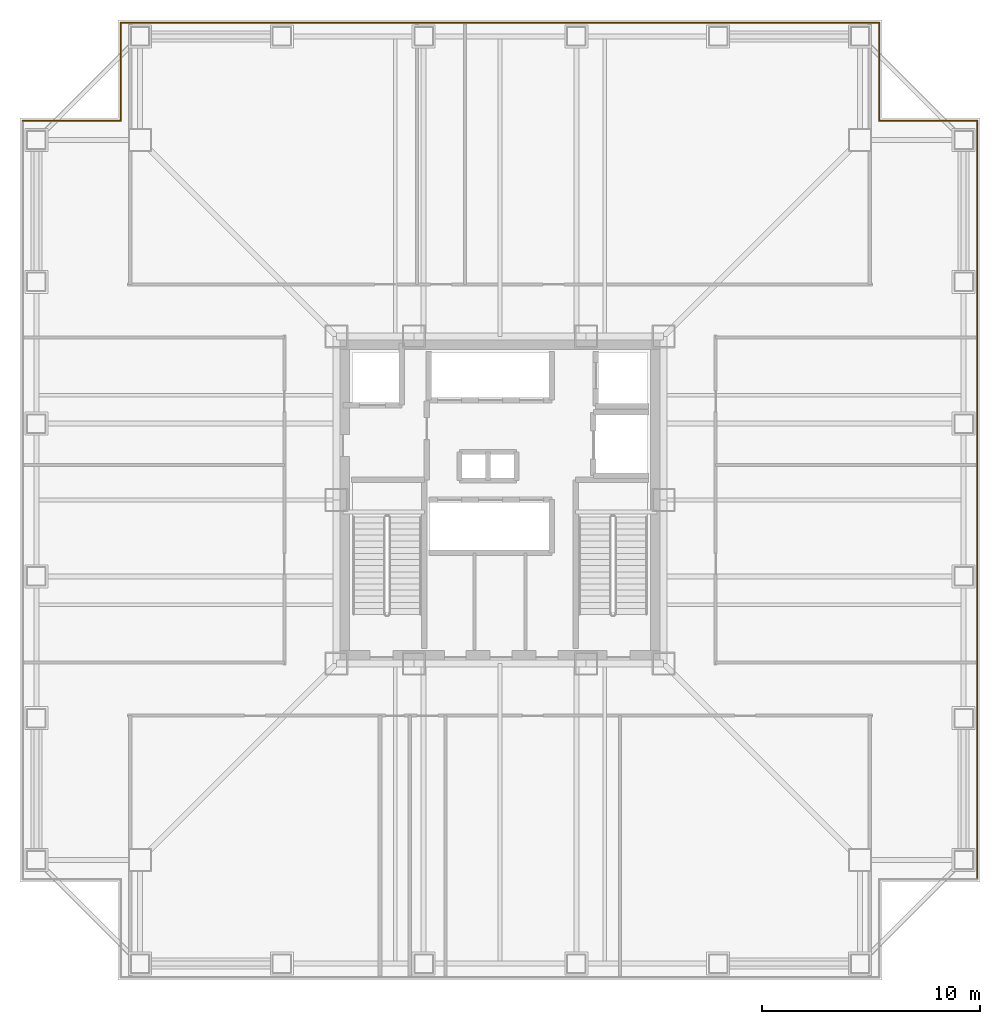
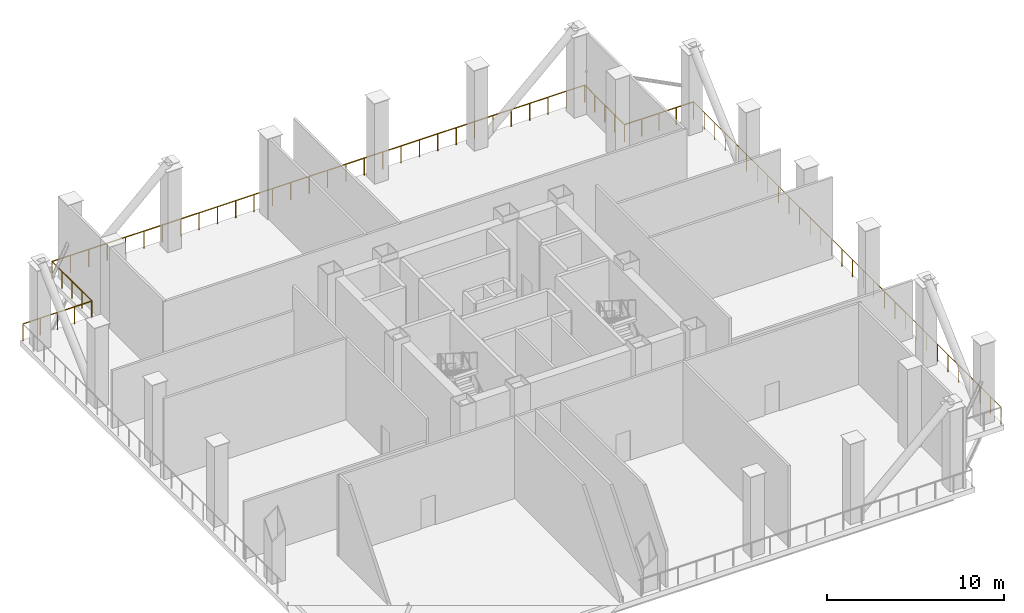
# One storey, part 7 of 7: 6 railings.
"""IFC4 building model written with IfcOpenShell, lengths in metres."""

from ifc_helpers import new_model, si_unit, direction, frame, origin, origin_2d, place, context, subcontext, project, spatial, circle, extrude, material, type_object, element, save


model = new_model("IFC4")

# Units and contexts
model_context = context("Model", 3, precision=1e-05, world=origin(), true_north=direction((0.0, 1.0)))
body_context = subcontext(model_context, "Body", "Model", "MODEL_VIEW")
ifc_project = project(units=[si_unit("LENGTHUNIT", "METRE"), si_unit("AREAUNIT", "SQUARE_METRE"), si_unit("VOLUMEUNIT", "CUBIC_METRE"), si_unit("PLANEANGLEUNIT", "RADIAN"), si_unit("MASSUNIT", "GRAM", prefix="KILO")], contexts=[model_context])

# Site, building, storey
site_placement = place(None, origin())
site = spatial("IfcSite", under=ifc_project, at=site_placement, CompositionType="ELEMENT")
building_placement = place(site_placement, origin())
building = spatial("IfcBuilding", under=site, at=building_placement, Name="Trevonay Congress Spire", CompositionType="ELEMENT")
storey_placement = place(building_placement, frame((0.0, 0.0, 160.199951171875)))
storey = spatial("IfcBuildingStorey", under=building, at=storey_placement, Name="L41", CompositionType="ELEMENT", Elevation=160.199951171875)

# Railings
ifc_material = material(Name="Pale Anodised Aluminium EN AW-6063-T6", Category="aluminium")
railing_type = type_object("IfcRailingType", Name="RAL-WIND-GUARD-120", PredefinedType="GUARDRAIL", material=ifc_material)
railing_1_placement = place(storey_placement, frame((-21.8798828125, 17.3798828125, 0.0)))
element("IfcRailing", 1, at=railing_1_placement, inside=storey, type_object=railing_type, Name="L41 perimeter safety guard GRD-L41-WIND-4", PredefinedType="GUARDRAIL", context=body_context, shape_type="SweptSolid", body=[
    extrude(circle(Radius=0.02392578125, at=origin_2d()), frame((0.0, 0.0, 1.17578125), z_axis=(1.0, 0.0, 0.0), x_axis=(0.0, 1.0, 0.0)), (0.0, 0.0, 1.0), 4.5),
    extrude(circle(Radius=0.02099609375, at=origin_2d()), origin(), (0.0, 0.0, 1.0), 1.15185546875),
    extrude(circle(Radius=0.02099609375, at=origin_2d()), frame((1.125, 0.0, 0.0)), (0.0, 0.0, 1.0), 1.15185546875),
    extrude(circle(Radius=0.02099609375, at=origin_2d()), frame((2.25, 0.0, 0.0)), (0.0, 0.0, 1.0), 1.15185546875),
    extrude(circle(Radius=0.02099609375, at=origin_2d()), frame((3.375, 0.0, 0.0)), (0.0, 0.0, 1.0), 1.15185546875),
    extrude(circle(Radius=0.02099609375, at=origin_2d()), frame((4.5, 0.0, 0.0)), (0.0, 0.0, 1.0), 1.15185546875),
])
railing_2_placement = place(storey_placement, frame((-17.3798828125, 17.3798828125, 0.0)))
element("IfcRailing", 2, at=railing_2_placement, inside=storey, type_object=railing_type, Name="L41 perimeter safety guard GRD-L41-WIND-5", PredefinedType="GUARDRAIL", context=body_context, shape_type="SweptSolid", body=[
    extrude(circle(Radius=0.02392578125, at=origin_2d()), frame((0.0, 0.0, 1.17578125), z_axis=(0.0, 1.0, 0.0), x_axis=(-1.0, 0.0, 0.0)), (0.0, 0.0, 1.0), 4.5),
    extrude(circle(Radius=0.02099609375, at=origin_2d()), origin(), (0.0, 0.0, 1.0), 1.15185546875),
    extrude(circle(Radius=0.02099609375, at=origin_2d()), frame((0.0, 1.125, 0.0)), (0.0, 0.0, 1.0), 1.15185546875),
    extrude(circle(Radius=0.02099609375, at=origin_2d()), frame((0.0, 2.25, 0.0)), (0.0, 0.0, 1.0), 1.15185546875),
    extrude(circle(Radius=0.02099609375, at=origin_2d()), frame((0.0, 3.375, 0.0)), (0.0, 0.0, 1.0), 1.15185546875),
    extrude(circle(Radius=0.02099609375, at=origin_2d()), frame((0.0, 4.5, 0.0)), (0.0, 0.0, 1.0), 1.15185546875),
])
railing_3_placement = place(storey_placement, frame((-17.3798828125, 21.8798828125, 0.0)))
element("IfcRailing", 3, at=railing_3_placement, inside=storey, type_object=railing_type, Name="L41 perimeter safety guard GRD-L41-WIND-6", PredefinedType="GUARDRAIL", context=body_context, shape_type="SweptSolid", body=[
    extrude(circle(Radius=0.02392578125, at=origin_2d()), frame((0.0, 0.0, 1.17578125), z_axis=(1.0, 0.0, 0.0), x_axis=(0.0, 1.0, 0.0)), (0.0, 0.0, 1.0), 34.759765625),
    extrude(circle(Radius=0.02099609375, at=origin_2d()), origin(), (0.0, 0.0, 1.0), 1.15185546875),
    extrude(circle(Radius=0.02099609375, at=origin_2d()), frame((1.19873046875, 0.0, 0.0)), (0.0, 0.0, 1.0), 1.15185546875),
    extrude(circle(Radius=0.02099609375, at=origin_2d()), frame((2.397216796875, 0.0, 0.0)), (0.0, 0.0, 1.0), 1.15185546875),
    extrude(circle(Radius=0.02099609375, at=origin_2d()), frame((3.595947265625, 0.0, 0.0)), (0.0, 0.0, 1.0), 1.15185546875),
    extrude(circle(Radius=0.02099609375, at=origin_2d()), frame((4.79443359375, 0.0, 0.0)), (0.0, 0.0, 1.0), 1.15185546875),
    extrude(circle(Radius=0.02099609375, at=origin_2d()), frame((5.9931640625, 0.0, 0.0)), (0.0, 0.0, 1.0), 1.15185546875),
    extrude(circle(Radius=0.02099609375, at=origin_2d()), frame((7.191650390625, 0.0, 0.0)), (0.0, 0.0, 1.0), 1.15185546875),
    extrude(circle(Radius=0.02099609375, at=origin_2d()), frame((8.390380859375, 0.0, 0.0)), (0.0, 0.0, 1.0), 1.15185546875),
    extrude(circle(Radius=0.02099609375, at=origin_2d()), frame((9.5888671875, 0.0, 0.0)), (0.0, 0.0, 1.0), 1.15185546875),
    extrude(circle(Radius=0.02099609375, at=origin_2d()), frame((10.78759765625, 0.0, 0.0)), (0.0, 0.0, 1.0), 1.15185546875),
    extrude(circle(Radius=0.02099609375, at=origin_2d()), frame((11.986083984375, 0.0, 0.0)), (0.0, 0.0, 1.0), 1.15185546875),
    extrude(circle(Radius=0.02099609375, at=origin_2d()), frame((13.184814453125, 0.0, 0.0)), (0.0, 0.0, 1.0), 1.15185546875),
    extrude(circle(Radius=0.02099609375, at=origin_2d()), frame((14.38330078125, 0.0, 0.0)), (0.0, 0.0, 1.0), 1.15185546875),
    extrude(circle(Radius=0.02099609375, at=origin_2d()), frame((15.58203125, 0.0, 0.0)), (0.0, 0.0, 1.0), 1.15185546875),
    extrude(circle(Radius=0.02099609375, at=origin_2d()), frame((16.780517578125, 0.0, 0.0)), (0.0, 0.0, 1.0), 1.15185546875),
    extrude(circle(Radius=0.02099609375, at=origin_2d()), frame((17.979248046875, 0.0, 0.0)), (0.0, 0.0, 1.0), 1.15185546875),
    extrude(circle(Radius=0.02099609375, at=origin_2d()), frame((19.177734375, 0.0, 0.0)), (0.0, 0.0, 1.0), 1.15185546875),
    extrude(circle(Radius=0.02099609375, at=origin_2d()), frame((20.37646484375, 0.0, 0.0)), (0.0, 0.0, 1.0), 1.15185546875),
    extrude(circle(Radius=0.02099609375, at=origin_2d()), frame((21.574951171875, 0.0, 0.0)), (0.0, 0.0, 1.0), 1.15185546875),
    extrude(circle(Radius=0.02099609375, at=origin_2d()), frame((22.773681640625, 0.0, 0.0)), (0.0, 0.0, 1.0), 1.15185546875),
    extrude(circle(Radius=0.02099609375, at=origin_2d()), frame((23.97216796875, 0.0, 0.0)), (0.0, 0.0, 1.0), 1.15185546875),
    extrude(circle(Radius=0.02099609375, at=origin_2d()), frame((25.1708984375, 0.0, 0.0)), (0.0, 0.0, 1.0), 1.15185546875),
    extrude(circle(Radius=0.02099609375, at=origin_2d()), frame((26.369384765625, 0.0, 0.0)), (0.0, 0.0, 1.0), 1.15185546875),
    extrude(circle(Radius=0.02099609375, at=origin_2d()), frame((27.568115234375, 0.0, 0.0)), (0.0, 0.0, 1.0), 1.15185546875),
    extrude(circle(Radius=0.02099609375, at=origin_2d()), frame((28.7666015625, 0.0, 0.0)), (0.0, 0.0, 1.0), 1.15185546875),
    extrude(circle(Radius=0.02099609375, at=origin_2d()), frame((29.96533203125, 0.0, 0.0)), (0.0, 0.0, 1.0), 1.15185546875),
    extrude(circle(Radius=0.02099609375, at=origin_2d()), frame((31.163818359375, 0.0, 0.0)), (0.0, 0.0, 1.0), 1.15185546875),
    extrude(circle(Radius=0.02099609375, at=origin_2d()), frame((32.362548828125, 0.0, 0.0)), (0.0, 0.0, 1.0), 1.15185546875),
    extrude(circle(Radius=0.02099609375, at=origin_2d()), frame((33.56103515625, 0.0, 0.0)), (0.0, 0.0, 1.0), 1.15185546875),
    extrude(circle(Radius=0.02099609375, at=origin_2d()), frame((34.759765625, 0.0, 0.0)), (0.0, 0.0, 1.0), 1.15185546875),
])
railing_4_placement = place(storey_placement, frame((17.3798828125, 21.8798828125, 0.0)))
element("IfcRailing", 4, at=railing_4_placement, inside=storey, type_object=railing_type, Name="L41 perimeter safety guard GRD-L41-WIND-7", PredefinedType="GUARDRAIL", context=body_context, shape_type="SweptSolid", body=[
    extrude(circle(Radius=0.02392578125, at=origin_2d()), frame((0.0, 0.0, 1.17578125), z_axis=(0.0, -1.0, 0.0), x_axis=(1.0, 0.0, 0.0)), (0.0, 0.0, 1.0), 4.5),
    extrude(circle(Radius=0.02099609375, at=origin_2d()), origin(), (0.0, 0.0, 1.0), 1.15185546875),
    extrude(circle(Radius=0.02099609375, at=origin_2d()), frame((0.0, -1.125, 0.0)), (0.0, 0.0, 1.0), 1.15185546875),
    extrude(circle(Radius=0.02099609375, at=origin_2d()), frame((0.0, -2.25, 0.0)), (0.0, 0.0, 1.0), 1.15185546875),
    extrude(circle(Radius=0.02099609375, at=origin_2d()), frame((0.0, -3.375, 0.0)), (0.0, 0.0, 1.0), 1.15185546875),
    extrude(circle(Radius=0.02099609375, at=origin_2d()), frame((0.0, -4.5, 0.0)), (0.0, 0.0, 1.0), 1.15185546875),
])
railing_5_placement = place(storey_placement, frame((17.3798828125, 17.3798828125, 0.0)))
element("IfcRailing", 5, at=railing_5_placement, inside=storey, type_object=railing_type, Name="L41 perimeter safety guard GRD-L41-WIND-8", PredefinedType="GUARDRAIL", context=body_context, shape_type="SweptSolid", body=[
    extrude(circle(Radius=0.02392578125, at=origin_2d()), frame((0.0, 0.0, 1.17578125), z_axis=(1.0, 0.0, 0.0), x_axis=(0.0, 1.0, 0.0)), (0.0, 0.0, 1.0), 4.5),
    extrude(circle(Radius=0.02099609375, at=origin_2d()), origin(), (0.0, 0.0, 1.0), 1.15185546875),
    extrude(circle(Radius=0.02099609375, at=origin_2d()), frame((1.125, 0.0, 0.0)), (0.0, 0.0, 1.0), 1.15185546875),
    extrude(circle(Radius=0.02099609375, at=origin_2d()), frame((2.25, 0.0, 0.0)), (0.0, 0.0, 1.0), 1.15185546875),
    extrude(circle(Radius=0.02099609375, at=origin_2d()), frame((3.375, 0.0, 0.0)), (0.0, 0.0, 1.0), 1.15185546875),
    extrude(circle(Radius=0.02099609375, at=origin_2d()), frame((4.5, 0.0, 0.0)), (0.0, 0.0, 1.0), 1.15185546875),
])
railing_6_placement = place(storey_placement, frame((21.8798828125, 17.3798828125, 0.0)))
element("IfcRailing", 6, at=railing_6_placement, inside=storey, type_object=railing_type, Name="L41 perimeter safety guard GRD-L41-WIND-9", PredefinedType="GUARDRAIL", context=body_context, shape_type="SweptSolid", body=[
    extrude(circle(Radius=0.02392578125, at=origin_2d()), frame((0.0, 0.0, 1.17578125), z_axis=(0.0, -1.0, 0.0), x_axis=(1.0, 0.0, 0.0)), (0.0, 0.0, 1.0), 34.759765625),
    extrude(circle(Radius=0.02099609375, at=origin_2d()), origin(), (0.0, 0.0, 1.0), 1.15185546875),
    extrude(circle(Radius=0.02099609375, at=origin_2d()), frame((0.0, -1.19873046875, 0.0)), (0.0, 0.0, 1.0), 1.15185546875),
    extrude(circle(Radius=0.02099609375, at=origin_2d()), frame((0.0, -2.397216796875, 0.0)), (0.0, 0.0, 1.0), 1.15185546875),
    extrude(circle(Radius=0.02099609375, at=origin_2d()), frame((0.0, -3.595947265625, 0.0)), (0.0, 0.0, 1.0), 1.15185546875),
    extrude(circle(Radius=0.02099609375, at=origin_2d()), frame((0.0, -4.79443359375, 0.0)), (0.0, 0.0, 1.0), 1.15185546875),
    extrude(circle(Radius=0.02099609375, at=origin_2d()), frame((0.0, -5.9931640625, 0.0)), (0.0, 0.0, 1.0), 1.15185546875),
    extrude(circle(Radius=0.02099609375, at=origin_2d()), frame((0.0, -7.191650390625, 0.0)), (0.0, 0.0, 1.0), 1.15185546875),
    extrude(circle(Radius=0.02099609375, at=origin_2d()), frame((0.0, -8.390380859375, 0.0)), (0.0, 0.0, 1.0), 1.15185546875),
    extrude(circle(Radius=0.02099609375, at=origin_2d()), frame((0.0, -9.5888671875, 0.0)), (0.0, 0.0, 1.0), 1.15185546875),
    extrude(circle(Radius=0.02099609375, at=origin_2d()), frame((0.0, -10.78759765625, 0.0)), (0.0, 0.0, 1.0), 1.15185546875),
    extrude(circle(Radius=0.02099609375, at=origin_2d()), frame((0.0, -11.986083984375, 0.0)), (0.0, 0.0, 1.0), 1.15185546875),
    extrude(circle(Radius=0.02099609375, at=origin_2d()), frame((0.0, -13.184814453125, 0.0)), (0.0, 0.0, 1.0), 1.15185546875),
    extrude(circle(Radius=0.02099609375, at=origin_2d()), frame((0.0, -14.38330078125, 0.0)), (0.0, 0.0, 1.0), 1.15185546875),
    extrude(circle(Radius=0.02099609375, at=origin_2d()), frame((0.0, -15.58203125, 0.0)), (0.0, 0.0, 1.0), 1.15185546875),
    extrude(circle(Radius=0.02099609375, at=origin_2d()), frame((0.0, -16.780517578125, 0.0)), (0.0, 0.0, 1.0), 1.15185546875),
    extrude(circle(Radius=0.02099609375, at=origin_2d()), frame((0.0, -17.979248046875, 0.0)), (0.0, 0.0, 1.0), 1.15185546875),
    extrude(circle(Radius=0.02099609375, at=origin_2d()), frame((0.0, -19.177734375, 0.0)), (0.0, 0.0, 1.0), 1.15185546875),
    extrude(circle(Radius=0.02099609375, at=origin_2d()), frame((0.0, -20.37646484375, 0.0)), (0.0, 0.0, 1.0), 1.15185546875),
    extrude(circle(Radius=0.02099609375, at=origin_2d()), frame((0.0, -21.574951171875, 0.0)), (0.0, 0.0, 1.0), 1.15185546875),
    extrude(circle(Radius=0.02099609375, at=origin_2d()), frame((0.0, -22.773681640625, 0.0)), (0.0, 0.0, 1.0), 1.15185546875),
    extrude(circle(Radius=0.02099609375, at=origin_2d()), frame((0.0, -23.97216796875, 0.0)), (0.0, 0.0, 1.0), 1.15185546875),
    extrude(circle(Radius=0.02099609375, at=origin_2d()), frame((0.0, -25.1708984375, 0.0)), (0.0, 0.0, 1.0), 1.15185546875),
    extrude(circle(Radius=0.02099609375, at=origin_2d()), frame((0.0, -26.369384765625, 0.0)), (0.0, 0.0, 1.0), 1.15185546875),
    extrude(circle(Radius=0.02099609375, at=origin_2d()), frame((0.0, -27.568115234375, 0.0)), (0.0, 0.0, 1.0), 1.15185546875),
    extrude(circle(Radius=0.02099609375, at=origin_2d()), frame((0.0, -28.7666015625, 0.0)), (0.0, 0.0, 1.0), 1.15185546875),
    extrude(circle(Radius=0.02099609375, at=origin_2d()), frame((0.0, -29.96533203125, 0.0)), (0.0, 0.0, 1.0), 1.15185546875),
    extrude(circle(Radius=0.02099609375, at=origin_2d()), frame((0.0, -31.163818359375, 0.0)), (0.0, 0.0, 1.0), 1.15185546875),
    extrude(circle(Radius=0.02099609375, at=origin_2d()), frame((0.0, -32.362548828125, 0.0)), (0.0, 0.0, 1.0), 1.15185546875),
    extrude(circle(Radius=0.02099609375, at=origin_2d()), frame((0.0, -33.56103515625, 0.0)), (0.0, 0.0, 1.0), 1.15185546875),
    extrude(circle(Radius=0.02099609375, at=origin_2d()), frame((0.0, -34.759765625, 0.0)), (0.0, 0.0, 1.0), 1.15185546875),
])

save(model, "model.ifc")
